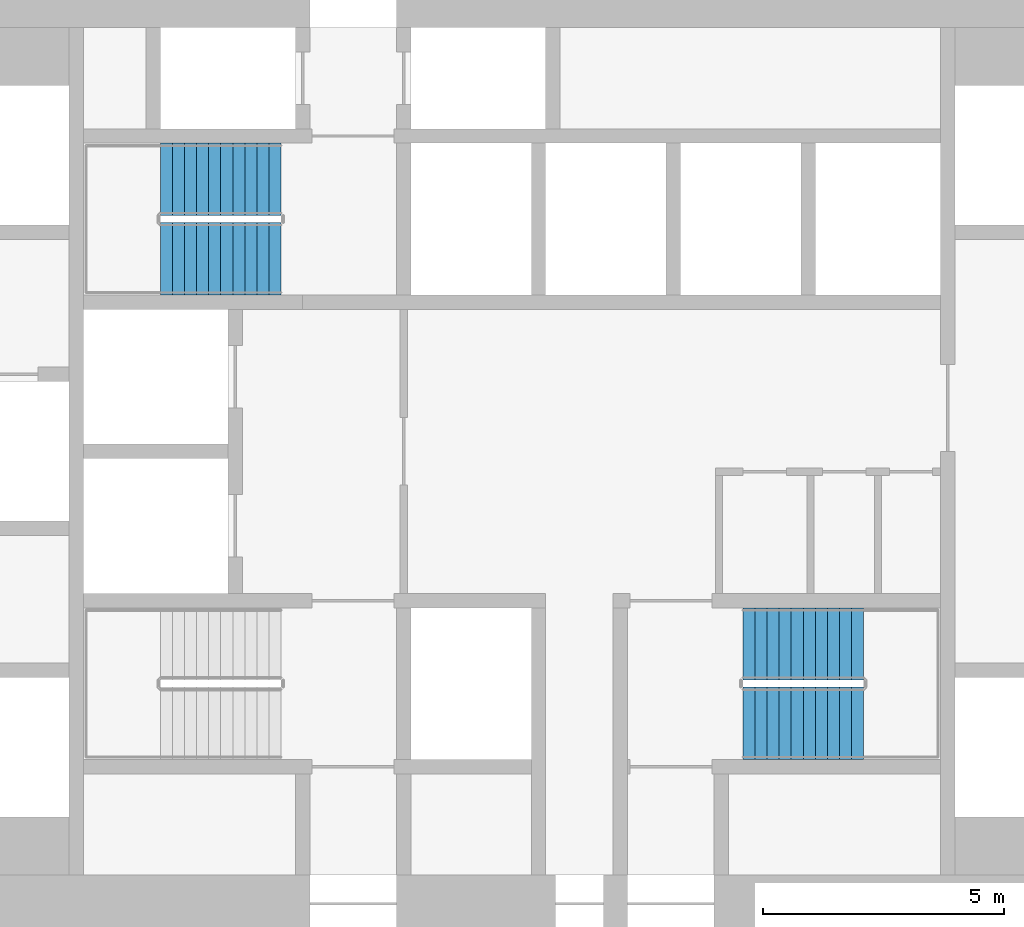
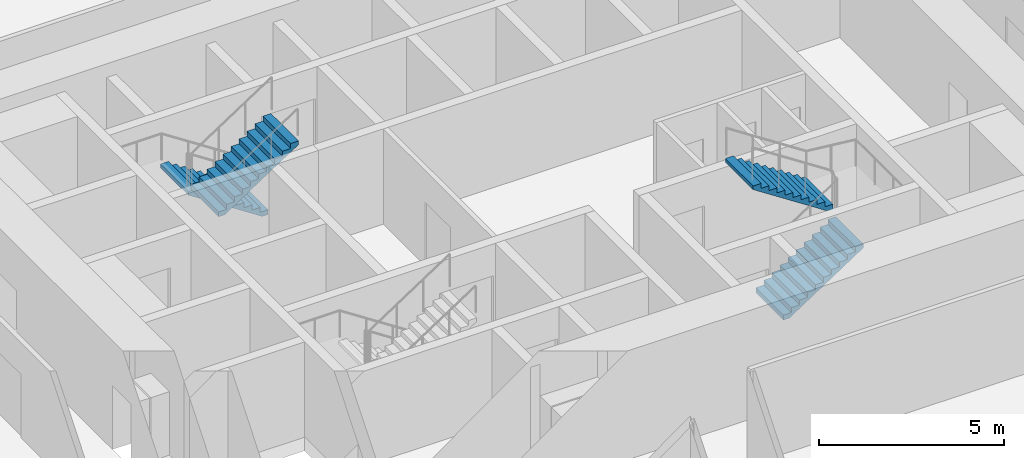
# One storey, part 11 of 12: 4 stair flights, 2 elements without a shape of their own.
"""IFC4 building model written with IfcOpenShell, lengths in metres."""

from ifc_helpers import new_model, si_unit, direction, frame, origin, place, context, subcontext, project, spatial, polyline, outline, extrude, material, type_object, element, aggregate, save


model = new_model("IFC4")

# Units and contexts
model_context = context("Model", 3, precision=1e-05, world=origin(), true_north=direction((0.0, 1.0)))
body_context = subcontext(model_context, "Body", "Model", "MODEL_VIEW")
ifc_project = project(units=[si_unit("LENGTHUNIT", "METRE"), si_unit("AREAUNIT", "SQUARE_METRE"), si_unit("VOLUMEUNIT", "CUBIC_METRE"), si_unit("PLANEANGLEUNIT", "RADIAN"), si_unit("MASSUNIT", "GRAM", prefix="KILO")], contexts=[model_context])

# Site, building, storey
site_placement = place(None, origin())
site = spatial("IfcSite", under=ifc_project, at=site_placement, CompositionType="ELEMENT")
building_placement = place(site_placement, origin())
building = spatial("IfcBuilding", under=site, at=building_placement, Name="Tracery Tower", CompositionType="ELEMENT")
storey_placement = place(building_placement, frame((0.0, 0.0, 57.0)))
storey = spatial("IfcBuildingStorey", under=building, at=storey_placement, Name="L13", CompositionType="ELEMENT", Elevation=57.0)

# Stair, stair flights
ifc_material_1 = material(Name="Concrete C32/40", Category="concrete")
stair_type = type_object("IfcStairType", Name="Core stair 22 risers", PredefinedType="HALF_TURN_STAIR", material=ifc_material_1)
stair_1_placement = place(storey_placement, origin())
stair_1 = element("IfcStair", 1, at=stair_1_placement, inside=storey, type_object=stair_type, Name="L13 stair ST3", PredefinedType="HALF_TURN_STAIR")
ifc_material_2 = material(Name="Concrete C32/40", Category="concrete")
stair_flight_type = type_object("IfcStairFlightType", Name="Core stair flight 11 risers", PredefinedType="STRAIGHT", material=ifc_material_2)
stair_flight_1_placement = place(storey_placement, frame((-4.800048828125, 5.64990234375, 0.0), z_axis=(0.0, 0.0, 1.0), x_axis=(-1.0, 0.0, 0.0)))
stair_flight_1 = element("IfcStairFlight", 2, at=stair_flight_1_placement, type_object=stair_flight_type, Name="ST3 flight 1", NumberOfRisers=11, NumberOfTreads=10, PredefinedType="STRAIGHT", RiserHeight=0.163636364, TreadLength=0.25, context=body_context, shape_type="SweptSolid", body=[
    extrude(outline(polyline([(0.0, 0.0), (0.0, 0.002685546875), (0.0, 0.00537109375), (0.0, 0.008056640625), (0.0, 0.0107421875), (0.0, 0.013427734375), (0.0, 0.01611328125), (0.0, 0.018798828125), (0.0, 0.021484375), (0.0, 0.024169921875), (0.0, 0.02685546875), (0.0, 0.029541015625), (0.0, 0.0322265625), (0.0, 0.034912109375), (0.0, 0.03759765625), (0.0, 0.040283203125), (0.0, 0.04296875), (0.0, 0.045654296875), (0.0, 0.04833984375), (0.0, 0.051025390625), (0.0, 0.0537109375), (0.0, 0.056396484375), (0.0, 0.05908203125), (0.0, 0.061767578125), (0.0, 0.064453125), (0.0, 0.067138671875), (0.0, 0.06982421875), (0.0, 0.072509765625), (0.0, 0.0751953125), (0.0, 0.077880859375), (0.0, 0.08056640625), (0.0, 0.083251953125), (0.0, 0.0859375), (0.0, 0.088623046875), (0.0, 0.09130859375), (0.0, 0.093994140625), (0.0, 0.0966796875), (0.0, 0.099365234375), (0.0, 0.10205078125), (0.0, 0.104736328125), (0.0, 0.107421875), (0.0, 0.10986328125), (0.0, 0.112548828125), (0.0, 0.115234375), (0.0, 0.117919921875), (0.0, 0.12060546875), (0.0, 0.123291015625), (0.0, 0.1259765625), (0.0, 0.128662109375), (0.0, 0.13134765625), (0.0, 0.134033203125), (0.0, 0.13671875), (0.0, 0.139404296875), (0.0, 0.14208984375), (0.0, 0.144775390625), (0.0, 0.1474609375), (0.0, 0.150146484375), (0.0, 0.15283203125), (0.0, 0.155517578125), (0.0, 0.158203125), (0.0, 0.160888671875), (0.0, 0.16357421875), (0.25, 0.16357421875), (0.25, 0.327392578125), (0.5, 0.327392578125), (0.5, 0.490966796875), (0.75, 0.490966796875), (0.75, 0.654541015625), (1.0, 0.654541015625), (1.0, 0.818115234375), (1.25, 0.818115234375), (1.25, 0.98193359375), (1.5, 0.98193359375), (1.5, 1.1455078125), (1.75, 1.1455078125), (1.75, 1.30908203125), (2.0, 1.30908203125), (2.0, 1.47265625), (2.25, 1.47265625), (2.25, 1.636474609375), (2.5, 1.636474609375), (2.5, 1.634521484375), (2.5, 1.63232421875), (2.5, 1.63037109375), (2.5, 1.62841796875), (2.5, 1.62646484375), (2.5, 1.62451171875), (2.5, 1.62255859375), (2.5, 1.62060546875), (2.5, 1.61865234375), (2.5, 1.61669921875), (2.5, 1.61474609375), (2.5, 1.61279296875), (2.5, 1.61083984375), (2.5, 1.60888671875), (2.5, 1.60693359375), (2.5, 1.60498046875), (2.5, 1.60302734375), (2.5, 1.60107421875), (2.5, 1.59912109375), (2.5, 1.59716796875), (2.5, 1.59521484375), (2.5, 1.59326171875), (2.5, 1.59130859375), (2.5, 1.58935546875), (2.5, 1.58740234375), (2.5, 1.58544921875), (2.5, 1.58349609375), (2.5, 1.58154296875), (2.5, 1.57958984375), (2.5, 1.57763671875), (2.5, 1.57568359375), (2.5, 1.573486328125), (2.5, 1.571533203125), (2.5, 1.569580078125), (2.5, 1.567626953125), (2.5, 1.565673828125), (2.5, 1.563720703125), (2.5, 1.561767578125), (2.5, 1.559814453125), (2.5, 1.557861328125), (2.5, 1.555908203125), (2.5, 1.553955078125), (2.5, 1.552001953125), (2.5, 1.550048828125), (2.5, 1.548095703125), (2.5, 1.546142578125), (2.5, 1.544189453125), (2.5, 1.542236328125), (2.5, 1.540283203125), (2.5, 1.538330078125), (2.5, 1.536376953125), (2.5, 1.534423828125), (2.5, 1.532470703125), (2.5, 1.530517578125), (2.5, 1.528564453125), (2.5, 1.526611328125), (2.5, 1.524658203125), (2.5, 1.522705078125), (2.5, 1.520751953125), (2.5, 1.518798828125), (2.5, 1.516845703125), (0.182861328125, 0.0), (0.0, 0.0)])), frame((0.0, 0.75, 0.0), z_axis=(0.0, -1.0, 0.0), x_axis=(1.0, 0.0, 0.0)), (0.0, 0.0, 1.0), 1.5),
])
stair_flight_2_placement = place(storey_placement, frame((-7.300048828125, 4.0, 1.800048828125), z_axis=(0.0, 0.0, 1.0), x_axis=(1.0, 0.0, 0.0)))
stair_flight_2 = element("IfcStairFlight", 3, at=stair_flight_2_placement, type_object=stair_flight_type, Name="ST3 flight 2", NumberOfRisers=11, NumberOfTreads=10, PredefinedType="STRAIGHT", RiserHeight=0.163636364, TreadLength=0.25, context=body_context, shape_type="SweptSolid", body=[
    extrude(outline(polyline([(0.0, 0.0), (0.0, 0.002685546875), (0.0, 0.00537109375), (0.0, 0.008056640625), (0.0, 0.0107421875), (0.0, 0.013427734375), (0.0, 0.01611328125), (0.0, 0.018798828125), (0.0, 0.021484375), (0.0, 0.024169921875), (0.0, 0.02685546875), (0.0, 0.029541015625), (0.0, 0.0322265625), (0.0, 0.034912109375), (0.0, 0.03759765625), (0.0, 0.040283203125), (0.0, 0.04296875), (0.0, 0.045654296875), (0.0, 0.04833984375), (0.0, 0.051025390625), (0.0, 0.0537109375), (0.0, 0.056396484375), (0.0, 0.05908203125), (0.0, 0.061767578125), (0.0, 0.064453125), (0.0, 0.067138671875), (0.0, 0.06982421875), (0.0, 0.072509765625), (0.0, 0.0751953125), (0.0, 0.077880859375), (0.0, 0.08056640625), (0.0, 0.083251953125), (0.0, 0.0859375), (0.0, 0.088623046875), (0.0, 0.09130859375), (0.0, 0.093994140625), (0.0, 0.0966796875), (0.0, 0.099365234375), (0.0, 0.10205078125), (0.0, 0.104736328125), (0.0, 0.107421875), (0.0, 0.10986328125), (0.0, 0.112548828125), (0.0, 0.115234375), (0.0, 0.117919921875), (0.0, 0.12060546875), (0.0, 0.123291015625), (0.0, 0.1259765625), (0.0, 0.128662109375), (0.0, 0.13134765625), (0.0, 0.134033203125), (0.0, 0.13671875), (0.0, 0.139404296875), (0.0, 0.14208984375), (0.0, 0.144775390625), (0.0, 0.1474609375), (0.0, 0.150146484375), (0.0, 0.15283203125), (0.0, 0.155517578125), (0.0, 0.158203125), (0.0, 0.160888671875), (0.0, 0.16357421875), (0.25, 0.16357421875), (0.25, 0.327392578125), (0.5, 0.327392578125), (0.5, 0.490966796875), (0.75, 0.490966796875), (0.75, 0.654541015625), (1.0, 0.654541015625), (1.0, 0.818115234375), (1.25, 0.818115234375), (1.25, 0.98193359375), (1.5, 0.98193359375), (1.5, 1.1455078125), (1.75, 1.1455078125), (1.75, 1.30908203125), (2.0, 1.30908203125), (2.0, 1.47265625), (2.25, 1.47265625), (2.25, 1.636474609375), (2.5, 1.636474609375), (2.5, 1.634521484375), (2.5, 1.63232421875), (2.5, 1.63037109375), (2.5, 1.62841796875), (2.5, 1.62646484375), (2.5, 1.62451171875), (2.5, 1.62255859375), (2.5, 1.62060546875), (2.5, 1.61865234375), (2.5, 1.61669921875), (2.5, 1.61474609375), (2.5, 1.61279296875), (2.5, 1.61083984375), (2.5, 1.60888671875), (2.5, 1.60693359375), (2.5, 1.60498046875), (2.5, 1.60302734375), (2.5, 1.60107421875), (2.5, 1.59912109375), (2.5, 1.59716796875), (2.5, 1.59521484375), (2.5, 1.59326171875), (2.5, 1.59130859375), (2.5, 1.58935546875), (2.5, 1.58740234375), (2.5, 1.58544921875), (2.5, 1.58349609375), (2.5, 1.58154296875), (2.5, 1.57958984375), (2.5, 1.57763671875), (2.5, 1.57568359375), (2.5, 1.573486328125), (2.5, 1.571533203125), (2.5, 1.569580078125), (2.5, 1.567626953125), (2.5, 1.565673828125), (2.5, 1.563720703125), (2.5, 1.561767578125), (2.5, 1.559814453125), (2.5, 1.557861328125), (2.5, 1.555908203125), (2.5, 1.553955078125), (2.5, 1.552001953125), (2.5, 1.550048828125), (2.5, 1.548095703125), (2.5, 1.546142578125), (2.5, 1.544189453125), (2.5, 1.542236328125), (2.5, 1.540283203125), (2.5, 1.538330078125), (2.5, 1.536376953125), (2.5, 1.534423828125), (2.5, 1.532470703125), (2.5, 1.530517578125), (2.5, 1.528564453125), (2.5, 1.526611328125), (2.5, 1.524658203125), (2.5, 1.522705078125), (2.5, 1.520751953125), (2.5, 1.518798828125), (2.5, 1.516845703125), (0.182861328125, 0.0), (0.0, 0.0)])), frame((0.0, 0.75, 0.0), z_axis=(0.0, -1.0, 0.0), x_axis=(1.0, 0.0, 0.0)), (0.0, 0.0, 1.0), 1.5),
])
aggregate(stair_1, [stair_flight_1, stair_flight_2])

stair_2_placement = place(storey_placement, origin())
stair_2 = element("IfcStair", 4, at=stair_2_placement, inside=storey, type_object=stair_type, Name="L13 stair ST2", PredefinedType="HALF_TURN_STAIR")
stair_flight_3_placement = place(storey_placement, frame((4.800048828125, -5.64990234375, 0.0), z_axis=(0.0, 0.0, 1.0), x_axis=(1.0, 0.0, 0.0)))
stair_flight_3 = element("IfcStairFlight", 5, at=stair_flight_3_placement, type_object=stair_flight_type, Name="ST2 flight 1", NumberOfRisers=11, NumberOfTreads=10, PredefinedType="STRAIGHT", RiserHeight=0.163636364, TreadLength=0.25, context=body_context, shape_type="SweptSolid", body=[
    extrude(outline(polyline([(0.0, 0.0), (0.0, 0.002685546875), (0.0, 0.00537109375), (0.0, 0.008056640625), (0.0, 0.0107421875), (0.0, 0.013427734375), (0.0, 0.01611328125), (0.0, 0.018798828125), (0.0, 0.021484375), (0.0, 0.024169921875), (0.0, 0.02685546875), (0.0, 0.029541015625), (0.0, 0.0322265625), (0.0, 0.034912109375), (0.0, 0.03759765625), (0.0, 0.040283203125), (0.0, 0.04296875), (0.0, 0.045654296875), (0.0, 0.04833984375), (0.0, 0.051025390625), (0.0, 0.0537109375), (0.0, 0.056396484375), (0.0, 0.05908203125), (0.0, 0.061767578125), (0.0, 0.064453125), (0.0, 0.067138671875), (0.0, 0.06982421875), (0.0, 0.072509765625), (0.0, 0.0751953125), (0.0, 0.077880859375), (0.0, 0.08056640625), (0.0, 0.083251953125), (0.0, 0.0859375), (0.0, 0.088623046875), (0.0, 0.09130859375), (0.0, 0.093994140625), (0.0, 0.0966796875), (0.0, 0.099365234375), (0.0, 0.10205078125), (0.0, 0.104736328125), (0.0, 0.107421875), (0.0, 0.10986328125), (0.0, 0.112548828125), (0.0, 0.115234375), (0.0, 0.117919921875), (0.0, 0.12060546875), (0.0, 0.123291015625), (0.0, 0.1259765625), (0.0, 0.128662109375), (0.0, 0.13134765625), (0.0, 0.134033203125), (0.0, 0.13671875), (0.0, 0.139404296875), (0.0, 0.14208984375), (0.0, 0.144775390625), (0.0, 0.1474609375), (0.0, 0.150146484375), (0.0, 0.15283203125), (0.0, 0.155517578125), (0.0, 0.158203125), (0.0, 0.160888671875), (0.0, 0.16357421875), (0.25, 0.16357421875), (0.25, 0.327392578125), (0.5, 0.327392578125), (0.5, 0.490966796875), (0.75, 0.490966796875), (0.75, 0.654541015625), (1.0, 0.654541015625), (1.0, 0.818115234375), (1.25, 0.818115234375), (1.25, 0.98193359375), (1.5, 0.98193359375), (1.5, 1.1455078125), (1.75, 1.1455078125), (1.75, 1.30908203125), (2.0, 1.30908203125), (2.0, 1.47265625), (2.25, 1.47265625), (2.25, 1.636474609375), (2.5, 1.636474609375), (2.5, 1.634521484375), (2.5, 1.63232421875), (2.5, 1.63037109375), (2.5, 1.62841796875), (2.5, 1.62646484375), (2.5, 1.62451171875), (2.5, 1.62255859375), (2.5, 1.62060546875), (2.5, 1.61865234375), (2.5, 1.61669921875), (2.5, 1.61474609375), (2.5, 1.61279296875), (2.5, 1.61083984375), (2.5, 1.60888671875), (2.5, 1.60693359375), (2.5, 1.60498046875), (2.5, 1.60302734375), (2.5, 1.60107421875), (2.5, 1.59912109375), (2.5, 1.59716796875), (2.5, 1.59521484375), (2.5, 1.59326171875), (2.5, 1.59130859375), (2.5, 1.58935546875), (2.5, 1.58740234375), (2.5, 1.58544921875), (2.5, 1.58349609375), (2.5, 1.58154296875), (2.5, 1.57958984375), (2.5, 1.57763671875), (2.5, 1.57568359375), (2.5, 1.573486328125), (2.5, 1.571533203125), (2.5, 1.569580078125), (2.5, 1.567626953125), (2.5, 1.565673828125), (2.5, 1.563720703125), (2.5, 1.561767578125), (2.5, 1.559814453125), (2.5, 1.557861328125), (2.5, 1.555908203125), (2.5, 1.553955078125), (2.5, 1.552001953125), (2.5, 1.550048828125), (2.5, 1.548095703125), (2.5, 1.546142578125), (2.5, 1.544189453125), (2.5, 1.542236328125), (2.5, 1.540283203125), (2.5, 1.538330078125), (2.5, 1.536376953125), (2.5, 1.534423828125), (2.5, 1.532470703125), (2.5, 1.530517578125), (2.5, 1.528564453125), (2.5, 1.526611328125), (2.5, 1.524658203125), (2.5, 1.522705078125), (2.5, 1.520751953125), (2.5, 1.518798828125), (2.5, 1.516845703125), (0.182861328125, 0.0), (0.0, 0.0)])), frame((0.0, 0.75, 0.0), z_axis=(0.0, -1.0, 0.0), x_axis=(1.0, 0.0, 0.0)), (0.0, 0.0, 1.0), 1.5),
])
stair_flight_4_placement = place(storey_placement, frame((7.300048828125, -4.0, 1.800048828125), z_axis=(0.0, 0.0, 1.0), x_axis=(-1.0, 0.0, 0.0)))
stair_flight_4 = element("IfcStairFlight", 6, at=stair_flight_4_placement, type_object=stair_flight_type, Name="ST2 flight 2", NumberOfRisers=11, NumberOfTreads=10, PredefinedType="STRAIGHT", RiserHeight=0.163636364, TreadLength=0.25, context=body_context, shape_type="SweptSolid", body=[
    extrude(outline(polyline([(0.0, 0.0), (0.0, 0.002685546875), (0.0, 0.00537109375), (0.0, 0.008056640625), (0.0, 0.0107421875), (0.0, 0.013427734375), (0.0, 0.01611328125), (0.0, 0.018798828125), (0.0, 0.021484375), (0.0, 0.024169921875), (0.0, 0.02685546875), (0.0, 0.029541015625), (0.0, 0.0322265625), (0.0, 0.034912109375), (0.0, 0.03759765625), (0.0, 0.040283203125), (0.0, 0.04296875), (0.0, 0.045654296875), (0.0, 0.04833984375), (0.0, 0.051025390625), (0.0, 0.0537109375), (0.0, 0.056396484375), (0.0, 0.05908203125), (0.0, 0.061767578125), (0.0, 0.064453125), (0.0, 0.067138671875), (0.0, 0.06982421875), (0.0, 0.072509765625), (0.0, 0.0751953125), (0.0, 0.077880859375), (0.0, 0.08056640625), (0.0, 0.083251953125), (0.0, 0.0859375), (0.0, 0.088623046875), (0.0, 0.09130859375), (0.0, 0.093994140625), (0.0, 0.0966796875), (0.0, 0.099365234375), (0.0, 0.10205078125), (0.0, 0.104736328125), (0.0, 0.107421875), (0.0, 0.10986328125), (0.0, 0.112548828125), (0.0, 0.115234375), (0.0, 0.117919921875), (0.0, 0.12060546875), (0.0, 0.123291015625), (0.0, 0.1259765625), (0.0, 0.128662109375), (0.0, 0.13134765625), (0.0, 0.134033203125), (0.0, 0.13671875), (0.0, 0.139404296875), (0.0, 0.14208984375), (0.0, 0.144775390625), (0.0, 0.1474609375), (0.0, 0.150146484375), (0.0, 0.15283203125), (0.0, 0.155517578125), (0.0, 0.158203125), (0.0, 0.160888671875), (0.0, 0.16357421875), (0.25, 0.16357421875), (0.25, 0.327392578125), (0.5, 0.327392578125), (0.5, 0.490966796875), (0.75, 0.490966796875), (0.75, 0.654541015625), (1.0, 0.654541015625), (1.0, 0.818115234375), (1.25, 0.818115234375), (1.25, 0.98193359375), (1.5, 0.98193359375), (1.5, 1.1455078125), (1.75, 1.1455078125), (1.75, 1.30908203125), (2.0, 1.30908203125), (2.0, 1.47265625), (2.25, 1.47265625), (2.25, 1.636474609375), (2.5, 1.636474609375), (2.5, 1.634521484375), (2.5, 1.63232421875), (2.5, 1.63037109375), (2.5, 1.62841796875), (2.5, 1.62646484375), (2.5, 1.62451171875), (2.5, 1.62255859375), (2.5, 1.62060546875), (2.5, 1.61865234375), (2.5, 1.61669921875), (2.5, 1.61474609375), (2.5, 1.61279296875), (2.5, 1.61083984375), (2.5, 1.60888671875), (2.5, 1.60693359375), (2.5, 1.60498046875), (2.5, 1.60302734375), (2.5, 1.60107421875), (2.5, 1.59912109375), (2.5, 1.59716796875), (2.5, 1.59521484375), (2.5, 1.59326171875), (2.5, 1.59130859375), (2.5, 1.58935546875), (2.5, 1.58740234375), (2.5, 1.58544921875), (2.5, 1.58349609375), (2.5, 1.58154296875), (2.5, 1.57958984375), (2.5, 1.57763671875), (2.5, 1.57568359375), (2.5, 1.573486328125), (2.5, 1.571533203125), (2.5, 1.569580078125), (2.5, 1.567626953125), (2.5, 1.565673828125), (2.5, 1.563720703125), (2.5, 1.561767578125), (2.5, 1.559814453125), (2.5, 1.557861328125), (2.5, 1.555908203125), (2.5, 1.553955078125), (2.5, 1.552001953125), (2.5, 1.550048828125), (2.5, 1.548095703125), (2.5, 1.546142578125), (2.5, 1.544189453125), (2.5, 1.542236328125), (2.5, 1.540283203125), (2.5, 1.538330078125), (2.5, 1.536376953125), (2.5, 1.534423828125), (2.5, 1.532470703125), (2.5, 1.530517578125), (2.5, 1.528564453125), (2.5, 1.526611328125), (2.5, 1.524658203125), (2.5, 1.522705078125), (2.5, 1.520751953125), (2.5, 1.518798828125), (2.5, 1.516845703125), (0.182861328125, 0.0), (0.0, 0.0)])), frame((0.0, 0.75, 0.0), z_axis=(0.0, -1.0, 0.0), x_axis=(1.0, 0.0, 0.0)), (0.0, 0.0, 1.0), 1.5),
])
aggregate(stair_2, [stair_flight_3, stair_flight_4])

save(model, "model.ifc")
